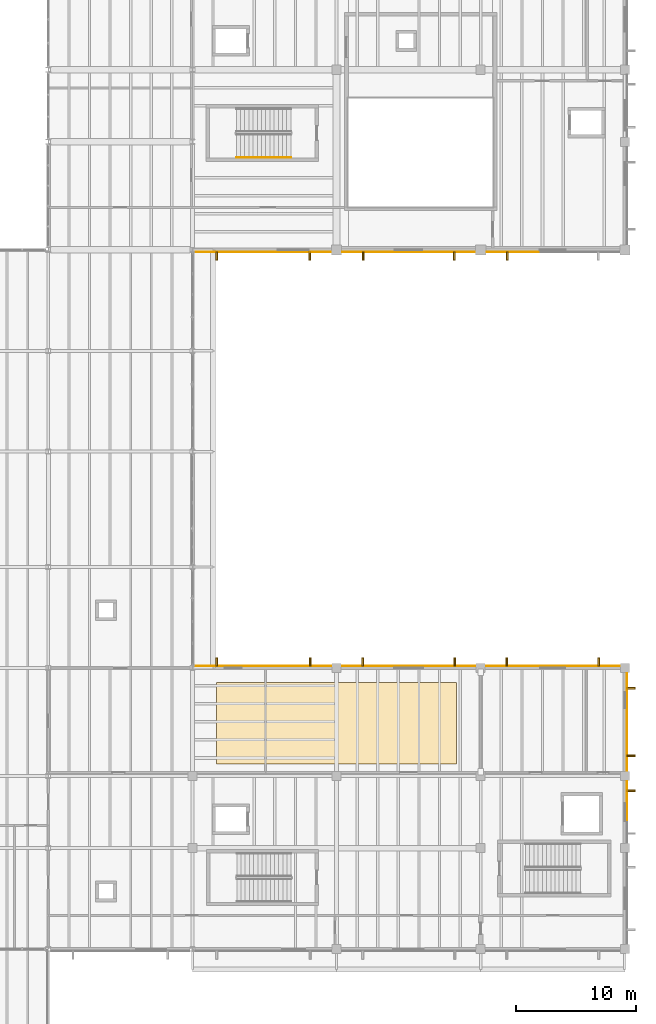
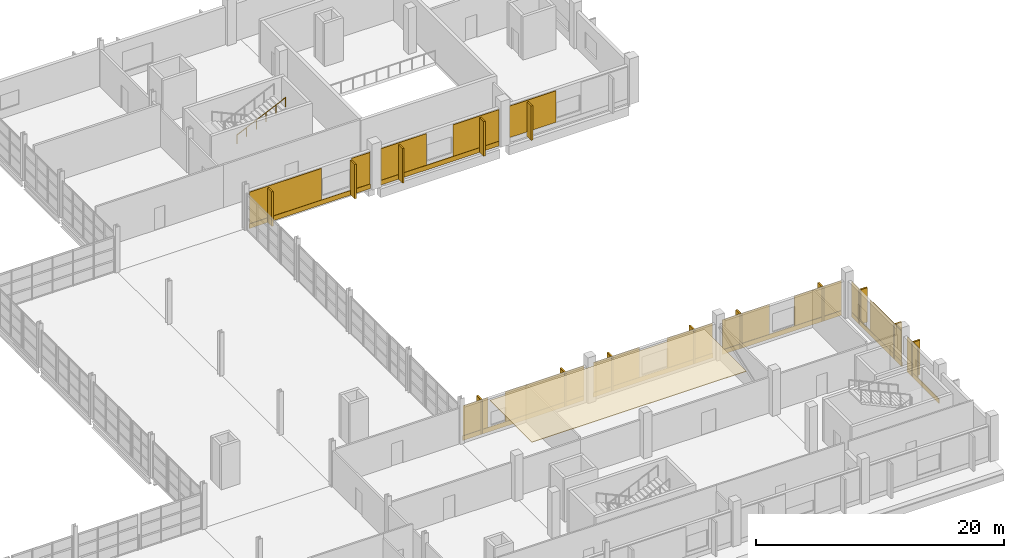
# One storey, part 112 of 114: 36 coverings, 14 shading devices, 1 railing.
"""IFC4 building model written with IfcOpenShell, lengths in metres."""

from ifc_helpers import new_model, si_unit, direction, frame, origin, origin_2d, place, context, subcontext, project, spatial, polyline, rectangle, circle, outline, extrude, material, layer, layer_set, type_object, element, save


model = new_model("IFC4")

# Units and contexts
model_context = context("Model", 3, precision=1e-05, world=origin(), true_north=direction((0.0, 1.0)))
body_context = subcontext(model_context, "Body", "Model", "MODEL_VIEW")
ifc_project = project(units=[si_unit("LENGTHUNIT", "METRE"), si_unit("AREAUNIT", "SQUARE_METRE"), si_unit("VOLUMEUNIT", "CUBIC_METRE"), si_unit("PLANEANGLEUNIT", "RADIAN"), si_unit("MASSUNIT", "GRAM", prefix="KILO")], contexts=[model_context])

# Site, building, storey
site_placement = place(None, origin())
site = spatial("IfcSite", under=ifc_project, at=site_placement, CompositionType="ELEMENT")
building_placement = place(site_placement, origin())
building = spatial("IfcBuilding", under=site, at=building_placement, Name="Kelmvaro Bay Concert Hall", CompositionType="ELEMENT")
storey_placement = place(building_placement, frame((0.0, 0.0, 4.800048828125)))
storey = spatial("IfcBuildingStorey", under=building, at=storey_placement, Name="L01", CompositionType="ELEMENT", Elevation=4.800048828125)

# Shading devices
ifc_material_1 = material(Name="Anodised Extruded Aluminium 6063-T6", Category="aluminium")
ifc_layer_1 = layer(ifc_material_1, 3.39990234375)
ifc_layer_set_1 = layer_set([ifc_layer_1], Name="Anodised Extruded Aluminium 6063-T6")
shading_device_type = type_object("IfcShadingDeviceType", Name="Bauhaus Vertical Solar Brise-Soleil Fin 720x3400", PredefinedType="SHUTTER", material=ifc_layer_set_1)
for number, where, z_axis, x_axis, name in (
    (1, (141.755126953125, 73.283935546875, 0.06005859375), (0.0, 0.0, 1.0), (-1.0, 0.0, 0.0), "L01 Solar Brise-Soleil Fin 045"),
    (2, (134.0205078125, 73.283935546875, 0.06005859375), (0.0, 0.0, 1.0), (-1.0, 0.0, 0.0), "L01 Solar Brise-Soleil Fin 046"),
    (3, (153.791015625, 73.283935546875, 0.06005859375), (0.0, 0.0, 1.0), (-1.0, 0.0, 0.0), "L01 Solar Brise-Soleil Fin 047"),
    (4, (146.208984375, 73.283935546875, 0.06005859375), (0.0, 0.0, 1.0), (-1.0, 0.0, 0.0), "L01 Solar Brise-Soleil Fin 048"),
    (5, (158.208984375, 73.283935546875, 0.06005859375), (0.0, 0.0, 1.0), (-1.0, 0.0, 0.0), "L01 Solar Brise-Soleil Fin 050"),
):
    element("IfcShadingDevice", number, at=place(storey_placement, frame(where, z_axis=z_axis, x_axis=x_axis)), inside=storey, type_object=shading_device_type, Name=name, PredefinedType="SHUTTER", context=body_context, shape_type="SweptSolid", body=[
        extrude(rectangle(XDim=0.159912109375, YDim=0.719970703125, at=origin_2d()), origin(), (0.0, 0.0, 1.0), 3.39990234375),
    ])
for number, where, z_axis, x_axis, name in (
    (6, (134.0283203125, 39.49609375, 0.0595703125), (0.0, 0.0, 1.0), (1.0, 0.0, 0.0), "L01 Solar Brise-Soleil Fin 138"),
    (7, (141.797119140625, 39.49609375, 0.0595703125), (0.0, 0.0, 1.0), (1.0, 0.0, 0.0), "L01 Solar Brise-Soleil Fin 139"),
    (8, (146.175048828125, 39.49609375, 0.0595703125), (0.0, 0.0, 1.0), (1.0, 0.0, 0.0), "L01 Solar Brise-Soleil Fin 140"),
    (9, (153.824951171875, 39.49609375, 0.0595703125), (0.0, 0.0, 1.0), (1.0, 0.0, 0.0), "L01 Solar Brise-Soleil Fin 141"),
    (10, (158.175048828125, 39.49609375, 0.0595703125), (0.0, 0.0, 1.0), (1.0, 0.0, 0.0), "L01 Solar Brise-Soleil Fin 142"),
    (11, (165.824951171875, 39.49609375, 0.0595703125), (0.0, 0.0, 1.0), (1.0, 0.0, 0.0), "L01 Solar Brise-Soleil Fin 143"),
):
    element("IfcShadingDevice", number, at=place(storey_placement, frame(where, z_axis=z_axis, x_axis=x_axis)), inside=storey, type_object=shading_device_type, Name=name, PredefinedType="SHUTTER", context=body_context, shape_type="SweptSolid", body=[
        extrude(rectangle(XDim=0.159912109375, YDim=0.719970703125, at=origin_2d()), origin(), (0.0, 0.0, 1.0), 3.386962890625),
    ])
for number, where, z_axis, x_axis, name in (
    (12, (168.49609375, 28.784912109375, 0.06005859375), (0.0, 0.0, 1.0), (0.0, -1.0, 0.0), "L01 Solar Brise-Soleil Fin 146"),
    (13, (168.49609375, 37.304931640625, 0.06005859375), (0.0, 0.0, 1.0), (0.0, -1.0, 0.0), "L01 Solar Brise-Soleil Fin 148"),
    (14, (168.49609375, 31.695068359375, 0.06005859375), (0.0, 0.0, 1.0), (0.0, -1.0, 0.0), "L01 Solar Brise-Soleil Fin 149"),
):
    element("IfcShadingDevice", number, at=place(storey_placement, frame(where, z_axis=z_axis, x_axis=x_axis)), inside=storey, type_object=shading_device_type, Name=name, PredefinedType="SHUTTER", context=body_context, shape_type="SweptSolid", body=[
        extrude(rectangle(XDim=0.159912109375, YDim=0.719970703125, at=origin_2d()), origin(), (0.0, 0.0, 1.0), 3.39990234375),
    ])

# Coverings
ifc_material_2 = material(Name="PVDF-Coated Architectural Aluminium", Category="aluminium")
ifc_layer_2 = layer(ifc_material_2, 0.0400390625)
ifc_layer_set_2 = layer_set([ifc_layer_2], Name="PVDF-Coated Architectural Aluminium")
covering_type_1 = type_object("IfcCoveringType", Name="De Stijl Enamelled Aluminium Fascia Panel 40", PredefinedType="CLADDING", material=ifc_layer_set_2)
for number, where, z_axis, x_axis, name in (
    (15, (141.755126953125, 73.283935546875, 0.06005859375), (0.0, 0.0, 1.0), (-1.0, 0.0, 0.0), "L01 Architectural Vertical Fin Cladding 0319"),
    (16, (134.0205078125, 73.283935546875, 0.06005859375), (0.0, 0.0, 1.0), (-1.0, 0.0, 0.0), "L01 Architectural Vertical Fin Cladding 0320"),
    (17, (153.791015625, 73.283935546875, 0.06005859375), (0.0, 0.0, 1.0), (-1.0, 0.0, 0.0), "L01 Architectural Vertical Fin Cladding 0324"),
    (18, (146.208984375, 73.283935546875, 0.06005859375), (0.0, 0.0, 1.0), (-1.0, 0.0, 0.0), "L01 Architectural Vertical Fin Cladding 0325"),
    (19, (158.208984375, 73.283935546875, 0.06005859375), (0.0, 0.0, 1.0), (-1.0, 0.0, 0.0), "L01 Architectural Vertical Fin Cladding 0330"),
):
    element("IfcCovering", number, at=place(storey_placement, frame(where, z_axis=z_axis, x_axis=x_axis)), inside=storey, type_object=covering_type_1, Name=name, PredefinedType="CLADDING", context=body_context, shape_type="SweptSolid", body=[
        extrude(rectangle(XDim=0.139892578125, YDim=0.699951171875, at=origin_2d()), origin(), (0.0, 0.0, 1.0), 3.39990234375),
    ])
for number, where, z_axis, x_axis, name in (
    (20, (134.0283203125, 39.49609375, 0.0595703125), (0.0, 0.0, 1.0), (1.0, 0.0, 0.0), "L01 Architectural Vertical Fin Cladding 0721"),
    (21, (141.797119140625, 39.49609375, 0.0595703125), (0.0, 0.0, 1.0), (1.0, 0.0, 0.0), "L01 Architectural Vertical Fin Cladding 0722"),
    (22, (146.175048828125, 39.49609375, 0.0595703125), (0.0, 0.0, 1.0), (1.0, 0.0, 0.0), "L01 Architectural Vertical Fin Cladding 0726"),
    (23, (153.824951171875, 39.49609375, 0.0595703125), (0.0, 0.0, 1.0), (1.0, 0.0, 0.0), "L01 Architectural Vertical Fin Cladding 0727"),
    (24, (158.175048828125, 39.49609375, 0.0595703125), (0.0, 0.0, 1.0), (1.0, 0.0, 0.0), "L01 Architectural Vertical Fin Cladding 0731"),
    (25, (165.824951171875, 39.49609375, 0.0595703125), (0.0, 0.0, 1.0), (1.0, 0.0, 0.0), "L01 Architectural Vertical Fin Cladding 0732"),
):
    element("IfcCovering", number, at=place(storey_placement, frame(where, z_axis=z_axis, x_axis=x_axis)), inside=storey, type_object=covering_type_1, Name=name, PredefinedType="CLADDING", context=body_context, shape_type="SweptSolid", body=[
        extrude(rectangle(XDim=0.139892578125, YDim=0.699951171875, at=origin_2d()), origin(), (0.0, 0.0, 1.0), 3.386962890625),
    ])
for number, where, z_axis, x_axis, name in (
    (26, (168.49609375, 28.784912109375, 0.06005859375), (0.0, 0.0, 1.0), (0.0, -1.0, 0.0), "L01 Architectural Vertical Fin Cladding 0741"),
    (27, (168.49609375, 37.304931640625, 0.06005859375), (0.0, 0.0, 1.0), (0.0, -1.0, 0.0), "L01 Architectural Vertical Fin Cladding 0746"),
    (28, (168.49609375, 31.695068359375, 0.06005859375), (0.0, 0.0, 1.0), (0.0, -1.0, 0.0), "L01 Architectural Vertical Fin Cladding 0747"),
):
    element("IfcCovering", number, at=place(storey_placement, frame(where, z_axis=z_axis, x_axis=x_axis)), inside=storey, type_object=covering_type_1, Name=name, PredefinedType="CLADDING", context=body_context, shape_type="SweptSolid", body=[
        extrude(rectangle(XDim=0.139892578125, YDim=0.699951171875, at=origin_2d()), origin(), (0.0, 0.0, 1.0), 3.39990234375),
    ])
ifc_material_3 = material(Name="Honed Florida Limestone Travertine", Category="masonry")
ifc_layer_3 = layer(ifc_material_3, 0.054931640625)
ifc_layer_set_3 = layer_set([ifc_layer_3], Name="Honed Florida Limestone Travertine")
covering_type_2 = type_object("IfcCoveringType", Name="Honed Florida Travertine Rainscreen Cladding 55", PredefinedType="CLADDING", material=ifc_layer_set_3)
covering_1_placement = place(storey_placement, frame((137.8876953125, 73.614501953125, 0.0400390625), z_axis=(0.0, 0.0, 1.0), x_axis=(-1.0, 0.0, 0.0)))
element("IfcCovering", 29, at=covering_1_placement, inside=storey, type_object=covering_type_2, Name="L01 Travertine Sill Band 0318", PredefinedType="CLADDING", context=body_context, shape_type="SweptSolid", body=[
    extrude(rectangle(XDim=11.2548828125, YDim=0.054931640625, at=origin_2d()), origin(), (0.0, 0.0, 1.0), 0.4599609375),
])
covering_2_placement = place(storey_placement, frame((142.642578125, 73.614501953125, 0.52001953125), z_axis=(0.0, 0.0, 1.0), x_axis=(-1.0, 0.0, 0.0)))
element("IfcCovering", 30, at=covering_2_placement, inside=storey, type_object=covering_type_2, Name="L01 Travertine Pier Panel 0321", PredefinedType="CLADDING", context=body_context, shape_type="SweptSolid", body=[
    extrude(rectangle(XDim=1.705078125, YDim=0.054931640625, at=origin_2d()), origin(), (0.0, 0.0, 1.0), 3.10400390625),
])
covering_3_placement = place(storey_placement, frame((135.63525390625, 73.614501953125, 0.52001953125), z_axis=(0.0, 0.0, 1.0), x_axis=(-1.0, 0.0, 0.0)))
element("IfcCovering", 31, at=covering_3_placement, inside=storey, type_object=covering_type_2, Name="L01 Travertine Pier Panel 0322", PredefinedType="CLADDING", context=body_context, shape_type="SweptSolid", body=[
    extrude(rectangle(XDim=6.7099609375, YDim=0.054931640625, at=origin_2d()), origin(), (0.0, 0.0, 1.0), 3.10400390625),
])
covering_4_placement = place(storey_placement, frame((150.0, 73.614501953125, 0.0400390625), z_axis=(0.0, 0.0, 1.0), x_axis=(-1.0, 0.0, 0.0)))
element("IfcCovering", 32, at=covering_4_placement, inside=storey, type_object=covering_type_2, Name="L01 Travertine Sill Band 0323", PredefinedType="CLADDING", context=body_context, shape_type="SweptSolid", body=[
    extrude(rectangle(XDim=11.030029296875, YDim=0.054931640625, at=origin_2d()), origin(), (0.0, 0.0, 1.0), 0.4599609375),
])
for number, where, z_axis, x_axis, name in (
    (33, (153.37255859375, 73.614501953125, 0.52001953125), (0.0, 0.0, 1.0), (-1.0, 0.0, 0.0), "L01 Travertine Pier Panel 0326"),
    (34, (146.62744140625, 73.614501953125, 0.52001953125), (0.0, 0.0, 1.0), (-1.0, 0.0, 0.0), "L01 Travertine Pier Panel 0327"),
):
    element("IfcCovering", number, at=place(storey_placement, frame(where, z_axis=z_axis, x_axis=x_axis)), inside=storey, type_object=covering_type_2, Name=name, PredefinedType="CLADDING", context=body_context, shape_type="SweptSolid", body=[
        extrude(rectangle(XDim=4.2451171875, YDim=0.054931640625, at=origin_2d()), origin(), (0.0, 0.0, 1.0), 3.10400390625),
    ])
covering_5_placement = place(storey_placement, frame((158.6650390625, 73.614501953125, 0.52001953125), z_axis=(0.0, 0.0, 1.0), x_axis=(-1.0, 0.0, 0.0)))
element("IfcCovering", 35, at=covering_5_placement, inside=storey, type_object=covering_type_2, Name="L01 Travertine Pier Panel 0332", PredefinedType="CLADDING", context=body_context, shape_type="SweptSolid", body=[
    extrude(rectangle(XDim=4.320068359375, YDim=0.054931640625, at=origin_2d()), origin(), (0.0, 0.0, 1.0), 3.10400390625),
])
covering_6_placement = place(storey_placement, frame((137.912841796875, 39.16552734375, 0.0400390625), z_axis=(0.0, 0.0, 1.0), x_axis=(1.0, 0.0, 0.0)))
element("IfcCovering", 36, at=covering_6_placement, inside=storey, type_object=covering_type_2, Name="L01 Travertine Sill Band 0720", PredefinedType="CLADDING", context=body_context, shape_type="SweptSolid", body=[
    extrude(rectangle(XDim=11.304931640625, YDim=0.054931640625, at=origin_2d()), origin(), (0.0, 0.0, 1.0), 0.4599609375),
])
covering_7_placement = place(storey_placement, frame((133.43994140625, 39.16552734375, 0.52001953125), z_axis=(0.0, 0.0, 1.0), x_axis=(1.0, 0.0, 0.0)))
element("IfcCovering", 37, at=covering_7_placement, inside=storey, type_object=covering_type_2, Name="L01 Travertine Pier Panel 0723", PredefinedType="CLADDING", context=body_context, shape_type="SweptSolid", body=[
    extrude(rectangle(XDim=2.319091796875, YDim=0.054931640625, at=origin_2d()), origin(), (0.0, 0.0, 1.0), 2.927001953125),
])
covering_8_placement = place(storey_placement, frame((139.872314453125, 39.16552734375, 0.52001953125), z_axis=(0.0, 0.0, 1.0), x_axis=(1.0, 0.0, 0.0)))
element("IfcCovering", 38, at=covering_8_placement, inside=storey, type_object=covering_type_2, Name="L01 Travertine Pier Panel 0724", PredefinedType="CLADDING", context=body_context, shape_type="SweptSolid", body=[
    extrude(rectangle(XDim=7.345947265625, YDim=0.054931640625, at=origin_2d()), origin(), (0.0, 0.0, 1.0), 2.927001953125),
])
covering_9_placement = place(storey_placement, frame((150.0, 39.16552734375, 0.0400390625), z_axis=(0.0, 0.0, 1.0), x_axis=(1.0, 0.0, 0.0)))
element("IfcCovering", 39, at=covering_9_placement, inside=storey, type_object=covering_type_2, Name="L01 Travertine Sill Band 0725", PredefinedType="CLADDING", context=body_context, shape_type="SweptSolid", body=[
    extrude(rectangle(XDim=11.1298828125, YDim=0.054931640625, at=origin_2d()), origin(), (0.0, 0.0, 1.0), 0.4599609375),
])
for number, where, z_axis, x_axis, name in (
    (40, (146.577392578125, 39.16552734375, 0.52001953125), (0.0, 0.0, 1.0), (1.0, 0.0, 0.0), "L01 Travertine Pier Panel 0728"),
    (41, (153.422607421875, 39.16552734375, 0.52001953125), (0.0, 0.0, 1.0), (1.0, 0.0, 0.0), "L01 Travertine Pier Panel 0729"),
):
    element("IfcCovering", number, at=place(storey_placement, frame(where, z_axis=z_axis, x_axis=x_axis)), inside=storey, type_object=covering_type_2, Name=name, PredefinedType="CLADDING", context=body_context, shape_type="SweptSolid", body=[
        extrude(rectangle(XDim=4.2451171875, YDim=0.054931640625, at=origin_2d()), origin(), (0.0, 0.0, 1.0), 2.927001953125),
    ])
covering_10_placement = place(storey_placement, frame((162.0, 39.16552734375, 0.0400390625), z_axis=(0.0, 0.0, 1.0), x_axis=(1.0, 0.0, 0.0)))
element("IfcCovering", 42, at=covering_10_placement, inside=storey, type_object=covering_type_2, Name="L01 Travertine Sill Band 0730", PredefinedType="CLADDING", context=body_context, shape_type="SweptSolid", body=[
    extrude(rectangle(XDim=11.1298828125, YDim=0.054931640625, at=origin_2d()), origin(), (0.0, 0.0, 1.0), 0.4599609375),
])
for number, where, z_axis, x_axis, name in (
    (43, (158.652587890625, 39.16552734375, 0.52001953125), (0.0, 0.0, 1.0), (1.0, 0.0, 0.0), "L01 Travertine Pier Panel 0733"),
    (44, (165.347412109375, 39.16552734375, 0.52001953125), (0.0, 0.0, 1.0), (1.0, 0.0, 0.0), "L01 Travertine Pier Panel 0734"),
):
    element("IfcCovering", number, at=place(storey_placement, frame(where, z_axis=z_axis, x_axis=x_axis)), inside=storey, type_object=covering_type_2, Name=name, PredefinedType="CLADDING", context=body_context, shape_type="SweptSolid", body=[
        extrude(rectangle(XDim=4.39501953125, YDim=0.054931640625, at=origin_2d()), origin(), (0.0, 0.0, 1.0), 2.927001953125),
    ])
covering_11_placement = place(storey_placement, frame((168.16552734375, 27.0, 0.0400390625), z_axis=(0.0, 0.0, 1.0), x_axis=(0.0, -1.0, 0.0)))
element("IfcCovering", 45, at=covering_11_placement, inside=storey, type_object=covering_type_2, Name="L01 Travertine Sill Band 0740", PredefinedType="CLADDING", context=body_context, shape_type="SweptSolid", body=[
    extrude(rectangle(XDim=5.1298828125, YDim=0.054931640625, at=origin_2d()), origin(), (0.0, 0.0, 1.0), 0.4599609375),
])
covering_12_placement = place(storey_placement, frame((168.16552734375, 28.697509765625, 0.52001953125), z_axis=(0.0, 0.0, 1.0), x_axis=(0.0, -1.0, 0.0)))
element("IfcCovering", 46, at=covering_12_placement, inside=storey, type_object=covering_type_2, Name="L01 Travertine Pier Panel 0743", PredefinedType="CLADDING", context=body_context, shape_type="SweptSolid", body=[
    extrude(rectangle(XDim=1.695068359375, YDim=0.054931640625, at=origin_2d()), origin(), (0.0, 0.0, 1.0), 3.008056640625),
])
covering_13_placement = place(storey_placement, frame((168.16552734375, 34.5, 0.0400390625), z_axis=(0.0, 0.0, 1.0), x_axis=(0.0, -1.0, 0.0)))
element("IfcCovering", 47, at=covering_13_placement, inside=storey, type_object=covering_type_2, Name="L01 Travertine Sill Band 0745", PredefinedType="CLADDING", context=body_context, shape_type="SweptSolid", body=[
    extrude(rectangle(XDim=8.1298828125, YDim=0.054931640625, at=origin_2d()), origin(), (0.0, 0.0, 1.0), 0.4599609375),
])
covering_14_placement = place(storey_placement, frame((168.16552734375, 37.8173828125, 0.52001953125), z_axis=(0.0, 0.0, 1.0), x_axis=(0.0, -1.0, 0.0)))
element("IfcCovering", 48, at=covering_14_placement, inside=storey, type_object=covering_type_2, Name="L01 Travertine Pier Panel 0748", PredefinedType="CLADDING", context=body_context, shape_type="SweptSolid", body=[
    extrude(rectangle(XDim=1.455078125, YDim=0.054931640625, at=origin_2d()), origin(), (0.0, 0.0, 1.0), 3.009033203125),
])
covering_15_placement = place(storey_placement, frame((168.16552734375, 32.99755859375, 0.52001953125), z_axis=(0.0, 0.0, 1.0), x_axis=(0.0, -1.0, 0.0)))
element("IfcCovering", 49, at=covering_15_placement, inside=storey, type_object=covering_type_2, Name="L01 Travertine Pier Panel 0749", PredefinedType="CLADDING", context=body_context, shape_type="SweptSolid", body=[
    extrude(rectangle(XDim=5.0849609375, YDim=0.054931640625, at=origin_2d()), origin(), (0.0, 0.0, 1.0), 3.009033203125),
])
ifc_material_4 = material(Name="Micro-Perforated Acoustic Gypsum Board")
ifc_layer_4 = layer(ifc_material_4, 0.050048828125)
ifc_layer_set_4 = layer_set([ifc_layer_4], Name="Micro-Perforated Acoustic Gypsum Board")
covering_type_3 = type_object("IfcCoveringType", Name="Perforated Gypsum Foyer Acoustic Ceiling 50", PredefinedType="CEILING", material=ifc_layer_set_4)
covering_16_placement = place(storey_placement, frame((0.0, 0.0, 4.169921875)))
element("IfcCovering", 50, at=covering_16_placement, inside=storey, type_object=covering_type_3, Name="L01 Acoustic Ceiling 09", PredefinedType="CEILING", context=body_context, shape_type="SweptSolid", body=[
    extrude(outline(polyline([(154.0, 31.0), (154.0, 37.800048828125), (134.0, 37.800048828125), (134.0, 31.0), (154.0, 31.0)])), origin(), (0.0, 0.0, 1.0), 0.050048828125),
])

# Railing
ifc_material_5 = material(Name="Brushed Stainless Steel 316", Category="steel")
railing_type = type_object("IfcRailingType", Name="Stair Stainless Wall Handrail 900", PredefinedType="HANDRAIL", material=ifc_material_5)
railing_placement = place(storey_placement, frame((135.64990234375, 81.5, 2.41064453125)))
element("IfcRailing", 51, at=railing_placement, inside=storey, type_object=railing_type, Name="L01 ST-07 stair handrail 2", PredefinedType="HANDRAIL", context=body_context, shape_type="SweptSolid", body=[
    extrude(circle(Radius=0.02392578125, at=origin_2d()), frame((0.0, 0.0, 0.8759765625), z_axis=(0.908768316152, 0.0, 0.417301027506), x_axis=(0.0, 1.0, 0.0)), (0.0, 0.0, 1.0), 5.0068359375),
    extrude(circle(Radius=0.02099609375, at=origin_2d()), origin(), (0.0, 0.0, 1.0), 0.851806640625),
    extrude(circle(Radius=0.02099609375, at=origin_2d()), frame((0.909912109375, 0.0, 0.41796875)), (0.0, 0.0, 1.0), 0.851806640625),
    extrude(circle(Radius=0.02099609375, at=origin_2d()), frame((1.820068359375, 0.0, 0.835693359375)), (0.0, 0.0, 1.0), 0.851806640625),
    extrude(circle(Radius=0.02099609375, at=origin_2d()), frame((2.72998046875, 0.0, 1.253662109375)), (0.0, 0.0, 1.0), 0.851806640625),
    extrude(circle(Radius=0.02099609375, at=origin_2d()), frame((3.64013671875, 0.0, 1.67138671875)), (0.0, 0.0, 1.0), 0.851806640625),
    extrude(circle(Radius=0.02099609375, at=origin_2d()), frame((4.550048828125, 0.0, 2.08935546875)), (0.0, 0.0, 1.0), 0.851806640625),
])

save(model, "model.ifc")
